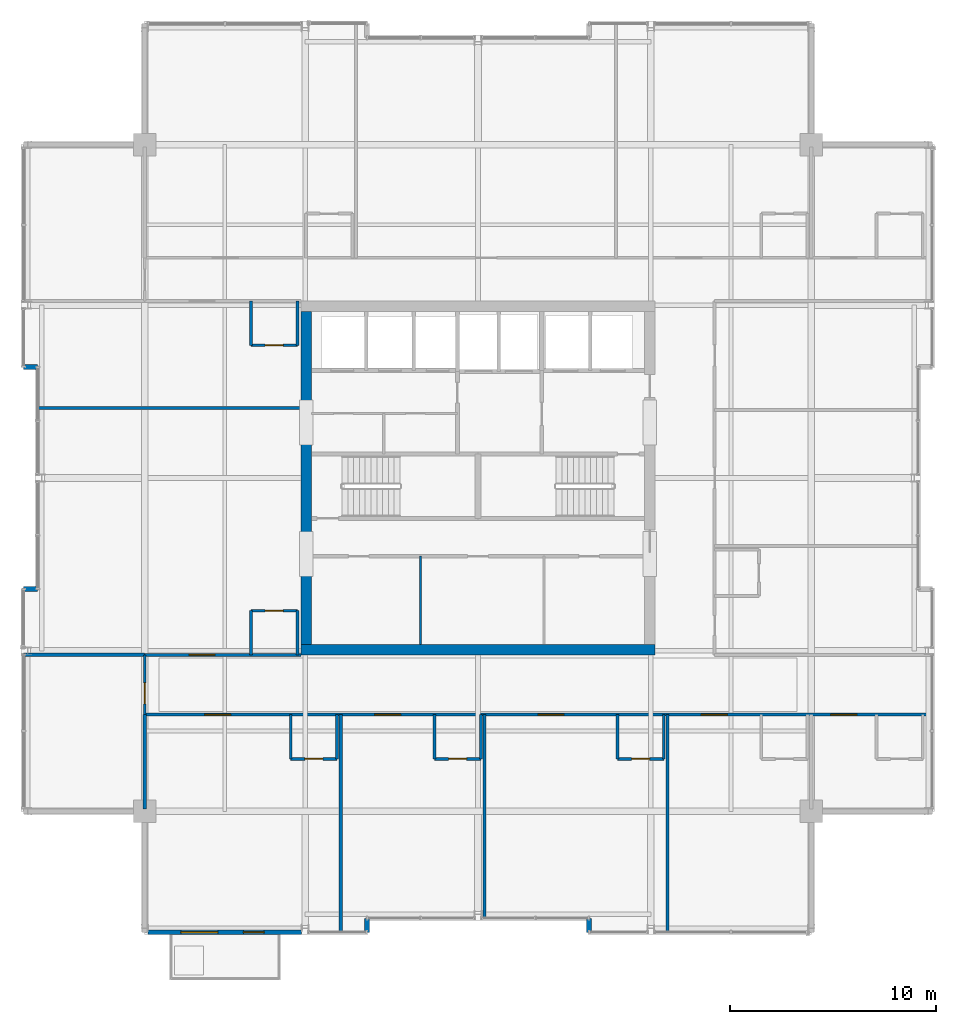
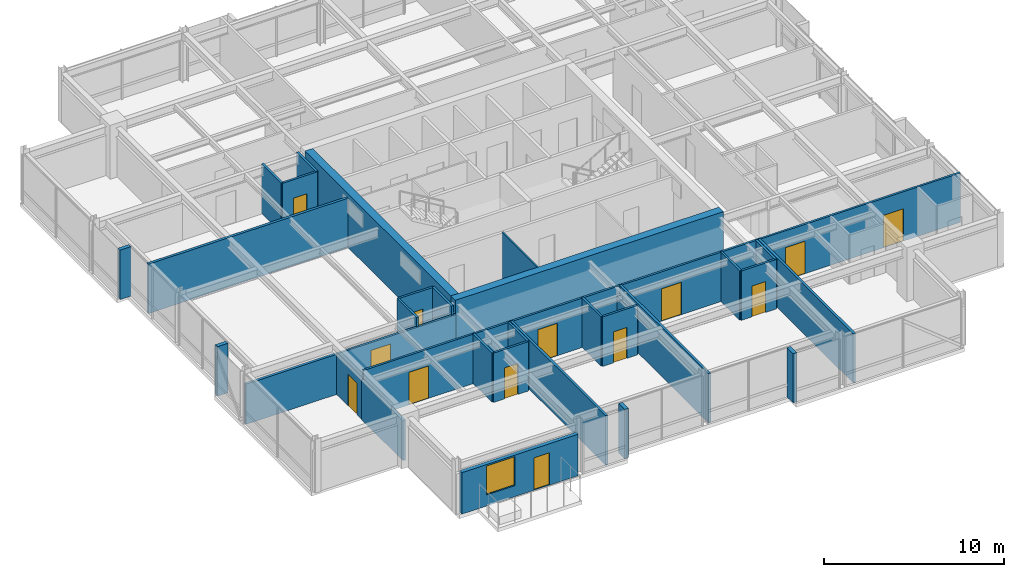
# One storey, part 28 of 34: 32 walls, 13 doors, 1 window, 14 openings.
"""IFC4 building model written with IfcOpenShell, lengths in metres."""

from ifc_helpers import new_model, si_unit, direction, frame, frame_2d, origin, place, context, subcontext, project, spatial, rectangle, extrude, material, layer, layer_set, type_object, element, fill, save


model = new_model("IFC4")

# Units and contexts
model_context = context("Model", 3, precision=1e-05, world=origin(), true_north=direction((0.0, 1.0)))
body_context = subcontext(model_context, "Body", "Model", "MODEL_VIEW")
ifc_project = project(units=[si_unit("LENGTHUNIT", "METRE"), si_unit("AREAUNIT", "SQUARE_METRE"), si_unit("VOLUMEUNIT", "CUBIC_METRE"), si_unit("PLANEANGLEUNIT", "RADIAN"), si_unit("MASSUNIT", "GRAM", prefix="KILO")], contexts=[model_context])

# Site, building, storey
site_placement = place(None, origin())
site = spatial("IfcSite", under=ifc_project, at=site_placement, CompositionType="ELEMENT")
building_placement = place(site_placement, origin())
building = spatial("IfcBuilding", under=site, at=building_placement, Name="Drelvath Grand Hotel", CompositionType="ELEMENT")
storey_placement = place(building_placement, frame((0.0, 0.0, 290.550048828125)))
storey = spatial("IfcBuildingStorey", under=building, at=storey_placement, Name="L76", CompositionType="ELEMENT", Elevation=290.550048828125)

# Wall
ifc_material_1 = material(Name="Gypsum Partition Board")
ifc_layer_1 = layer(ifc_material_1, 0.10009765625)
ifc_layer_set_1 = layer_set([ifc_layer_1], Name="Gypsum Partition Board")
wall_type_1 = type_object("IfcWallType", Name="Core Closet Partition 100", PredefinedType="PARTITIONING", material=ifc_layer_set_1)
wall_1_placement = place(storey_placement, frame((-2.800048828125, 18.89990234375, 0.0), z_axis=(0.0, 0.0, 1.0), x_axis=(0.0, 1.0, 0.0)))
element("IfcWall", 1, at=wall_1_placement, inside=storey, type_object=wall_type_1, Name="L76 Upper Core Split 1A", PredefinedType="PARTITIONING", context=body_context, shape_type="SweptSolid", body=[
    extrude(rectangle(XDim=4.300048828125, YDim=0.10009765625, at=frame_2d((2.14990234375, 0.0))), origin(), (0.0, 0.0, 1.0), 3.349853515625),
])

# Wall, openings, doors
ifc_material_2 = material(Name="Gypsum Fireboard Partition")
ifc_layer_2 = layer(ifc_material_2, 0.135009765625)
ifc_layer_set_2 = layer_set([ifc_layer_2], Name="Gypsum Fireboard Partition")
wall_type_2 = type_object("IfcWallType", Name="Corridor Fire Barrier Wall 135", PredefinedType="PARTITIONING", material=ifc_layer_set_2)
wall_2_placement = place(storey_placement, frame((-16.199951171875, 15.5, 0.0), z_axis=(0.0, 0.0, 1.0), x_axis=(1.0, 0.0, 0.0)))
wall_2 = element("IfcWall", 2, at=wall_2_placement, inside=storey, type_object=wall_type_2, Name="L76 South Cross-Gallery Wall", PredefinedType="PARTITIONING", context=body_context, shape_type="SweptSolid", body=[
    extrude(rectangle(XDim=38.280029296875, YDim=0.135009765625, at=frame_2d((19.14013671875, 0.0))), origin(), (0.0, 0.0, 1.0), 3.349853515625),
])
opening_1_placement = place(wall_2_placement, frame((33.35498046875, 0.0, 0.0)))
opening_1 = element("IfcOpeningElement", 3, at=opening_1_placement, cuts=wall_2, Name="Opening D-T5G3-022", PredefinedType="OPENING", context=body_context, shape_type="SweptSolid", body=[
    extrude(rectangle(XDim=1.260009765625, YDim=2.199951171875, at=frame_2d((0.6298828125, 1.10009765625))), frame((0.0, 0.077392578125, 0.0), z_axis=(0.0, -1.0, 0.0), x_axis=(1.0, 0.0, 0.0)), (0.0, 0.0, 1.0), 0.155029296875),
])
opening_2_placement = place(wall_2_placement, frame((2.919677734375, 0.0, 0.0)))
opening_2 = element("IfcOpeningElement", 4, at=opening_2_placement, cuts=wall_2, Name="Opening D-T5G3-026", PredefinedType="OPENING", context=body_context, shape_type="SweptSolid", body=[
    extrude(rectangle(XDim=1.260009765625, YDim=2.199951171875, at=frame_2d((0.6298828125, 1.10009765625))), frame((0.0, 0.077392578125, 0.0), z_axis=(0.0, -1.0, 0.0), x_axis=(1.0, 0.0, 0.0)), (0.0, 0.0, 1.0), 0.155029296875),
])
opening_3_placement = place(wall_2_placement, frame((11.178466796875, 0.0, 0.0)))
opening_3 = element("IfcOpeningElement", 5, at=opening_3_placement, cuts=wall_2, Name="Opening D-T5G3-028", PredefinedType="OPENING", context=body_context, shape_type="SweptSolid", body=[
    extrude(rectangle(XDim=1.260009765625, YDim=2.199951171875, at=frame_2d((0.6298828125, 1.10009765625))), frame((0.0, 0.077392578125, 0.0), z_axis=(0.0, -1.0, 0.0), x_axis=(1.0, 0.0, 0.0)), (0.0, 0.0, 1.0), 0.155029296875),
])
opening_4_placement = place(wall_2_placement, frame((19.11962890625, 0.0, 0.0)))
opening_4 = element("IfcOpeningElement", 6, at=opening_4_placement, cuts=wall_2, Name="Opening D-T5G3-030", PredefinedType="OPENING", context=body_context, shape_type="SweptSolid", body=[
    extrude(rectangle(XDim=1.260009765625, YDim=2.199951171875, at=frame_2d((0.6298828125, 1.10009765625))), frame((0.0, 0.077392578125, 0.0), z_axis=(0.0, -1.0, 0.0), x_axis=(1.0, 0.0, 0.0)), (0.0, 0.0, 1.0), 0.155029296875),
])
opening_5_placement = place(wall_2_placement, frame((27.060791015625, 0.0, 0.0)))
opening_5 = element("IfcOpeningElement", 7, at=opening_5_placement, cuts=wall_2, Name="Opening D-T5G3-032", PredefinedType="OPENING", context=body_context, shape_type="SweptSolid", body=[
    extrude(rectangle(XDim=1.260009765625, YDim=2.199951171875, at=frame_2d((0.6298828125, 1.10009765625))), frame((0.0, 0.077392578125, 0.0), z_axis=(0.0, -1.0, 0.0), x_axis=(1.0, 0.0, 0.0)), (0.0, 0.0, 1.0), 0.155029296875),
])
ifc_material_3 = material(Name="Hardwood Walnut Timber", Category="wood")
door_type_1 = type_object("IfcDoorType", Name="Suite Entrance Fire Door 1260x2200", OperationType="NOTDEFINED", PredefinedType="DOOR", material=ifc_material_3)
door_1_placement = place(opening_1_placement, origin())
door_1 = element("IfcDoor", 8, at=door_1_placement, inside=storey, type_object=door_type_1, Name="L76 Royal Suite Entry Door", OperationType="SINGLE_SWING_LEFT", OverallHeight=2.199951171875, OverallWidth=1.260009765625, PredefinedType="DOOR", context=body_context, shape_type="SweptSolid", body=[
    extrude(rectangle(XDim=1.260009765625, YDim=2.199951171875, at=frame_2d((0.6298828125, 1.10009765625))), frame((0.0, 0.02490234375, 0.0), z_axis=(0.0, -1.0, 0.0), x_axis=(1.0, 0.0, 0.0)), (0.0, 0.0, 1.0), 0.050048828125),
])
fill(opening_1, door_1)
door_2_placement = place(opening_2_placement, origin())
door_2 = element("IfcDoor", 9, at=door_2_placement, inside=storey, type_object=door_type_1, Name="L76 Royal Suite Entry Door", OperationType="SINGLE_SWING_LEFT", OverallHeight=2.199951171875, OverallWidth=1.260009765625, PredefinedType="DOOR", context=body_context, shape_type="SweptSolid", body=[
    extrude(rectangle(XDim=1.260009765625, YDim=2.199951171875, at=frame_2d((0.6298828125, 1.10009765625))), frame((0.0, 0.02490234375, 0.0), z_axis=(0.0, -1.0, 0.0), x_axis=(1.0, 0.0, 0.0)), (0.0, 0.0, 1.0), 0.050048828125),
])
fill(opening_2, door_2)
door_3_placement = place(opening_3_placement, origin())
door_3 = element("IfcDoor", 10, at=door_3_placement, inside=storey, type_object=door_type_1, Name="L76 Royal Suite Entry Door", OperationType="SINGLE_SWING_LEFT", OverallHeight=2.199951171875, OverallWidth=1.260009765625, PredefinedType="DOOR", context=body_context, shape_type="SweptSolid", body=[
    extrude(rectangle(XDim=1.260009765625, YDim=2.199951171875, at=frame_2d((0.6298828125, 1.10009765625))), frame((0.0, 0.02490234375, 0.0), z_axis=(0.0, -1.0, 0.0), x_axis=(1.0, 0.0, 0.0)), (0.0, 0.0, 1.0), 0.050048828125),
])
fill(opening_3, door_3)
door_4_placement = place(opening_4_placement, origin())
door_4 = element("IfcDoor", 11, at=door_4_placement, inside=storey, type_object=door_type_1, Name="L76 Royal Suite Entry Door", OperationType="SINGLE_SWING_LEFT", OverallHeight=2.199951171875, OverallWidth=1.260009765625, PredefinedType="DOOR", context=body_context, shape_type="SweptSolid", body=[
    extrude(rectangle(XDim=1.260009765625, YDim=2.199951171875, at=frame_2d((0.6298828125, 1.10009765625))), frame((0.0, 0.02490234375, 0.0), z_axis=(0.0, -1.0, 0.0), x_axis=(1.0, 0.0, 0.0)), (0.0, 0.0, 1.0), 0.050048828125),
])
fill(opening_4, door_4)
door_5_placement = place(opening_5_placement, origin())
door_5 = element("IfcDoor", 12, at=door_5_placement, inside=storey, type_object=door_type_1, Name="L76 Royal Suite Entry Door", OperationType="SINGLE_SWING_LEFT", OverallHeight=2.199951171875, OverallWidth=1.260009765625, PredefinedType="DOOR", context=body_context, shape_type="SweptSolid", body=[
    extrude(rectangle(XDim=1.260009765625, YDim=2.199951171875, at=frame_2d((0.6298828125, 1.10009765625))), frame((0.0, 0.02490234375, 0.0), z_axis=(0.0, -1.0, 0.0), x_axis=(1.0, 0.0, 0.0)), (0.0, 0.0, 1.0), 0.050048828125),
])
fill(opening_5, door_5)

# Wall, opening, door
wall_3_placement = place(storey_placement, frame((-16.199951171875, 18.39990234375, 0.0), z_axis=(0.0, 0.0, 1.0), x_axis=(1.0, 0.0, 0.0)))
wall_3 = element("IfcWall", 13, at=wall_3_placement, inside=storey, type_object=wall_type_2, Name="L76 South Gallery Inner West Wall", PredefinedType="PARTITIONING", context=body_context, shape_type="SweptSolid", body=[
    extrude(rectangle(XDim=7.599853515625, YDim=0.135009765625, at=frame_2d((3.7998046875, 0.0))), origin(), (0.0, 0.0, 1.0), 2.727294921875),
])
opening_6_placement = place(wall_3_placement, frame((2.155029296875, 0.0, 0.0)))
opening_6 = element("IfcOpeningElement", 14, at=opening_6_placement, cuts=wall_3, Name="Opening D-T5G3-043", PredefinedType="OPENING", context=body_context, shape_type="SweptSolid", body=[
    extrude(rectangle(XDim=1.260009765625, YDim=2.199951171875, at=frame_2d((0.6298828125, 1.10009765625))), frame((0.0, 0.077392578125, 0.0), z_axis=(0.0, -1.0, 0.0), x_axis=(1.0, 0.0, 0.0)), (0.0, 0.0, 1.0), 0.155029296875),
])
door_6_placement = place(opening_6_placement, origin())
door_6 = element("IfcDoor", 15, at=door_6_placement, inside=storey, type_object=door_type_1, Name="L76 Royal Suite Entry Door", OperationType="SINGLE_SWING_RIGHT", OverallHeight=2.199951171875, OverallWidth=1.260009765625, PredefinedType="DOOR", context=body_context, shape_type="SweptSolid", body=[
    extrude(rectangle(XDim=1.260009765625, YDim=2.199951171875, at=frame_2d((0.6298828125, 1.10009765625))), frame((0.0, 0.02490234375, 0.0), z_axis=(0.0, -1.0, 0.0), x_axis=(1.0, 0.0, 0.0)), (0.0, 0.0, 1.0), 0.050048828125),
])
fill(opening_6, door_6)

wall_4_placement = place(storey_placement, frame((-16.199951171875, 15.5, 0.0), z_axis=(0.0, 0.0, 1.0), x_axis=(0.0, 1.0, 0.0)))
wall_4 = element("IfcWall", 16, at=wall_4_placement, inside=storey, type_object=wall_type_2, Name="L76 South Gallery West End", PredefinedType="PARTITIONING", context=body_context, shape_type="SweptSolid", body=[
    extrude(rectangle(XDim=2.89990234375, YDim=0.135009765625, at=frame_2d((1.449951171875, 0.0))), origin(), (0.0, 0.0, 1.0), 2.723876953125),
])
opening_7_placement = place(wall_4_placement, frame((0.52001953125, 0.0, 0.0)))
opening_7 = element("IfcOpeningElement", 17, at=opening_7_placement, cuts=wall_4, Name="Opening D-T5G3-019", PredefinedType="OPENING", context=body_context, shape_type="SweptSolid", body=[
    extrude(rectangle(XDim=1.02001953125, YDim=2.14990234375, at=frame_2d((0.510009765625, 1.074951171875))), frame((0.0, 0.077392578125, 0.0), z_axis=(0.0, -1.0, 0.0), x_axis=(1.0, 0.0, 0.0)), (0.0, 0.0, 1.0), 0.155029296875),
])
door_type_2 = type_object("IfcDoorType", Name="Amenity Meeting Fire Door 1020x2150", OperationType="NOTDEFINED", PredefinedType="DOOR", material=ifc_material_3)
door_7_placement = place(opening_7_placement, origin())
door_7 = element("IfcDoor", 18, at=door_7_placement, inside=storey, type_object=door_type_2, Name="L76 Corner Panorama Lounge Door", OperationType="SINGLE_SWING_RIGHT", OverallHeight=2.14990234375, OverallWidth=1.02001953125, PredefinedType="DOOR", context=body_context, shape_type="SweptSolid", body=[
    extrude(rectangle(XDim=1.02001953125, YDim=2.14990234375, at=frame_2d((0.510009765625, 1.074951171875))), frame((0.0, 0.02490234375, 0.0), z_axis=(0.0, -1.0, 0.0), x_axis=(1.0, 0.0, 0.0)), (0.0, 0.0, 1.0), 0.050048828125),
])
fill(opening_7, door_7)

# Walls
ifc_material_4 = material(Name="Moisture-Resistant Gypsum Board")
ifc_layer_3 = layer(ifc_material_4, 0.139892578125)
ifc_layer_set_3 = layer_set([ifc_layer_3], Name="Moisture-Resistant Gypsum Board")
wall_type_3 = type_object("IfcWallType", Name="En-Suite Plumbing Wall 140", PredefinedType="PLUMBINGWALL", material=ifc_layer_set_3)
for number, where, z_axis, x_axis, name in (
    (19, (-9.1005859375, 15.5, 0.0), (0.0, 0.0, 1.0), (0.0, -1.0, 0.0), "L76 En-Suite Left Wall"),
    (20, (-6.8505859375, 15.5, 0.0), (0.0, 0.0, 1.0), (0.0, -1.0, 0.0), "L76 En-Suite Right Wall"),
):
    element("IfcWall", number, at=place(storey_placement, frame(where, z_axis=z_axis, x_axis=x_axis)), inside=storey, type_object=wall_type_3, Name=name, PredefinedType="PLUMBINGWALL", context=body_context, shape_type="SweptSolid", body=[
        extrude(rectangle(XDim=2.14990234375, YDim=0.139892578125, at=frame_2d((1.074951171875, 0.0))), origin(), (0.0, 0.0, 1.0), 3.349853515625),
    ])

# Wall, opening, door
wall_5_placement = place(storey_placement, frame((-9.1005859375, 13.35009765625, 0.0), z_axis=(0.0, 0.0, 1.0), x_axis=(1.0, 0.0, 0.0)))
wall_5 = element("IfcWall", 21, at=wall_5_placement, inside=storey, type_object=wall_type_3, Name="L76 En-Suite Front Wall", PredefinedType="PLUMBINGWALL", context=body_context, shape_type="SweptSolid", body=[
    extrude(rectangle(XDim=2.25, YDim=0.139892578125, at=frame_2d((1.125, 0.0))), origin(), (0.0, 0.0, 1.0), 3.349853515625),
])
opening_8_placement = place(wall_5_placement, frame((0.68505859375, 0.0, 0.0)))
opening_8 = element("IfcOpeningElement", 22, at=opening_8_placement, cuts=wall_5, Name="Opening D-T5G3-025", PredefinedType="OPENING", context=body_context, shape_type="SweptSolid", body=[
    extrude(rectangle(XDim=0.8798828125, YDim=2.10009765625, at=frame_2d((0.43994140625, 1.050048828125))), frame((0.0, 0.079833984375, 0.0), z_axis=(0.0, -1.0, 0.0), x_axis=(1.0, 0.0, 0.0)), (0.0, 0.0, 1.0), 0.159912109375),
])
door_type_3 = type_object("IfcDoorType", Name="En-Suite Bathroom Door 880x2100", OperationType="NOTDEFINED", PredefinedType="DOOR", material=ifc_material_3)
door_8_placement = place(opening_8_placement, origin())
door_8 = element("IfcDoor", 23, at=door_8_placement, inside=storey, type_object=door_type_3, Name="L76 En-Suite Bathroom Door", OperationType="SINGLE_SWING_RIGHT", OverallHeight=2.10009765625, OverallWidth=0.8798828125, PredefinedType="DOOR", context=body_context, shape_type="SweptSolid", body=[
    extrude(rectangle(XDim=0.8798828125, YDim=2.10009765625, at=frame_2d((0.43994140625, 1.050048828125))), frame((0.0, 0.02490234375, 0.0), z_axis=(0.0, -1.0, 0.0), x_axis=(1.0, 0.0, 0.0)), (0.0, 0.0, 1.0), 0.050048828125),
])
fill(opening_8, door_8)

# Walls
wall_6_placement = place(storey_placement, frame((-2.1123046875, 15.5, 0.0), z_axis=(0.0, 0.0, 1.0), x_axis=(0.0, -1.0, 0.0)))
element("IfcWall", 24, at=wall_6_placement, inside=storey, type_object=wall_type_3, Name="L76 En-Suite Left Wall", PredefinedType="PLUMBINGWALL", context=body_context, shape_type="SweptSolid", body=[
    extrude(rectangle(XDim=2.14990234375, YDim=0.139892578125, at=frame_2d((1.074951171875, 0.0))), origin(), (0.0, 0.0, 1.0), 3.349853515625),
])
wall_7_placement = place(storey_placement, frame((0.1376953125, 15.5, 0.0), z_axis=(0.0, 0.0, 1.0), x_axis=(0.0, -1.0, 0.0)))
element("IfcWall", 25, at=wall_7_placement, inside=storey, type_object=wall_type_3, Name="L76 En-Suite Right Wall", PredefinedType="PLUMBINGWALL", context=body_context, shape_type="SweptSolid", body=[
    extrude(rectangle(XDim=2.14990234375, YDim=0.139892578125, at=frame_2d((1.074951171875, 0.0))), origin(), (0.0, 0.0, 1.0), 2.727294921875),
])

# Wall, opening, door
wall_8_placement = place(storey_placement, frame((-2.1123046875, 13.35009765625, 0.0), z_axis=(0.0, 0.0, 1.0), x_axis=(1.0, 0.0, 0.0)))
wall_8 = element("IfcWall", 26, at=wall_8_placement, inside=storey, type_object=wall_type_3, Name="L76 En-Suite Front Wall", PredefinedType="PLUMBINGWALL", context=body_context, shape_type="SweptSolid", body=[
    extrude(rectangle(XDim=2.25, YDim=0.139892578125, at=frame_2d((1.125, 0.0))), origin(), (0.0, 0.0, 1.0), 3.349853515625),
])
opening_9_placement = place(wall_8_placement, frame((0.68505859375, 0.0, 0.0)))
opening_9 = element("IfcOpeningElement", 27, at=opening_9_placement, cuts=wall_8, Name="Opening D-T5G3-027", PredefinedType="OPENING", context=body_context, shape_type="SweptSolid", body=[
    extrude(rectangle(XDim=0.8798828125, YDim=2.10009765625, at=frame_2d((0.43994140625, 1.050048828125))), frame((0.0, 0.079833984375, 0.0), z_axis=(0.0, -1.0, 0.0), x_axis=(1.0, 0.0, 0.0)), (0.0, 0.0, 1.0), 0.159912109375),
])
door_9_placement = place(opening_9_placement, origin())
door_9 = element("IfcDoor", 28, at=door_9_placement, inside=storey, type_object=door_type_3, Name="L76 En-Suite Bathroom Door", OperationType="SINGLE_SWING_RIGHT", OverallHeight=2.10009765625, OverallWidth=0.8798828125, PredefinedType="DOOR", context=body_context, shape_type="SweptSolid", body=[
    extrude(rectangle(XDim=0.8798828125, YDim=2.10009765625, at=frame_2d((0.43994140625, 1.050048828125))), frame((0.0, 0.02490234375, 0.0), z_axis=(0.0, -1.0, 0.0), x_axis=(1.0, 0.0, 0.0)), (0.0, 0.0, 1.0), 0.050048828125),
])
fill(opening_9, door_9)

# Walls
for number, where, z_axis, x_axis, name in (
    (29, (6.78173828125, 15.5, 0.0), (0.0, 0.0, 1.0), (0.0, -1.0, 0.0), "L76 En-Suite Left Wall"),
    (30, (9.03173828125, 15.5, 0.0), (0.0, 0.0, 1.0), (0.0, -1.0, 0.0), "L76 En-Suite Right Wall"),
):
    element("IfcWall", number, at=place(storey_placement, frame(where, z_axis=z_axis, x_axis=x_axis)), inside=storey, type_object=wall_type_3, Name=name, PredefinedType="PLUMBINGWALL", context=body_context, shape_type="SweptSolid", body=[
        extrude(rectangle(XDim=2.14990234375, YDim=0.139892578125, at=frame_2d((1.074951171875, 0.0))), origin(), (0.0, 0.0, 1.0), 3.349853515625),
    ])

# Wall, opening, door
wall_9_placement = place(storey_placement, frame((6.78173828125, 13.35009765625, 0.0), z_axis=(0.0, 0.0, 1.0), x_axis=(1.0, 0.0, 0.0)))
wall_9 = element("IfcWall", 31, at=wall_9_placement, inside=storey, type_object=wall_type_3, Name="L76 En-Suite Front Wall", PredefinedType="PLUMBINGWALL", context=body_context, shape_type="SweptSolid", body=[
    extrude(rectangle(XDim=2.25, YDim=0.139892578125, at=frame_2d((1.125, 0.0))), origin(), (0.0, 0.0, 1.0), 3.349853515625),
])
opening_10_placement = place(wall_9_placement, frame((0.68505859375, 0.0, 0.0)))
opening_10 = element("IfcOpeningElement", 32, at=opening_10_placement, cuts=wall_9, Name="Opening D-T5G3-029", PredefinedType="OPENING", context=body_context, shape_type="SweptSolid", body=[
    extrude(rectangle(XDim=0.8798828125, YDim=2.10009765625, at=frame_2d((0.43994140625, 1.050048828125))), frame((0.0, 0.079833984375, 0.0), z_axis=(0.0, -1.0, 0.0), x_axis=(1.0, 0.0, 0.0)), (0.0, 0.0, 1.0), 0.159912109375),
])
door_10_placement = place(opening_10_placement, origin())
door_10 = element("IfcDoor", 33, at=door_10_placement, inside=storey, type_object=door_type_3, Name="L76 En-Suite Bathroom Door", OperationType="SINGLE_SWING_RIGHT", OverallHeight=2.10009765625, OverallWidth=0.8798828125, PredefinedType="DOOR", context=body_context, shape_type="SweptSolid", body=[
    extrude(rectangle(XDim=0.8798828125, YDim=2.10009765625, at=frame_2d((0.43994140625, 1.050048828125))), frame((0.0, 0.02490234375, 0.0), z_axis=(0.0, -1.0, 0.0), x_axis=(1.0, 0.0, 0.0)), (0.0, 0.0, 1.0), 0.050048828125),
])
fill(opening_10, door_10)

# Walls
for number, where, z_axis, x_axis, name in (
    (34, (-11.030029296875, 18.39990234375, 0.0), (0.0, 0.0, 1.0), (0.0, 1.0, 0.0), "L76 En-Suite Left Wall"),
    (35, (-8.780029296875, 18.39990234375, 0.0), (0.0, 0.0, 1.0), (0.0, 1.0, 0.0), "L76 En-Suite Right Wall"),
):
    element("IfcWall", number, at=place(storey_placement, frame(where, z_axis=z_axis, x_axis=x_axis)), inside=storey, type_object=wall_type_3, Name=name, PredefinedType="PLUMBINGWALL", context=body_context, shape_type="SweptSolid", body=[
        extrude(rectangle(XDim=2.150146484375, YDim=0.139892578125, at=frame_2d((1.0751953125, 0.0))), origin(), (0.0, 0.0, 1.0), 3.349853515625),
    ])

# Wall, opening, door
wall_10_placement = place(storey_placement, frame((-11.030029296875, 20.550048828125, 0.0), z_axis=(0.0, 0.0, 1.0), x_axis=(1.0, 0.0, 0.0)))
wall_10 = element("IfcWall", 36, at=wall_10_placement, inside=storey, type_object=wall_type_3, Name="L76 En-Suite Front Wall", PredefinedType="PLUMBINGWALL", context=body_context, shape_type="SweptSolid", body=[
    extrude(rectangle(XDim=2.25, YDim=0.139892578125, at=frame_2d((1.125, 0.0))), origin(), (0.0, 0.0, 1.0), 3.349853515625),
])
opening_11_placement = place(wall_10_placement, frame((0.68505859375, 0.0, 0.0)))
opening_11 = element("IfcOpeningElement", 37, at=opening_11_placement, cuts=wall_10, Name="Opening D-T5G3-042", PredefinedType="OPENING", context=body_context, shape_type="SweptSolid", body=[
    extrude(rectangle(XDim=0.8798828125, YDim=2.10009765625, at=frame_2d((0.43994140625, 1.050048828125))), frame((0.0, 0.079833984375, 0.0), z_axis=(0.0, -1.0, 0.0), x_axis=(1.0, 0.0, 0.0)), (0.0, 0.0, 1.0), 0.159912109375),
])
door_11_placement = place(opening_11_placement, origin())
door_11 = element("IfcDoor", 38, at=door_11_placement, inside=storey, type_object=door_type_3, Name="L76 En-Suite Bathroom Door", OperationType="SINGLE_SWING_LEFT", OverallHeight=2.10009765625, OverallWidth=0.8798828125, PredefinedType="DOOR", context=body_context, shape_type="SweptSolid", body=[
    extrude(rectangle(XDim=0.8798828125, YDim=2.10009765625, at=frame_2d((0.43994140625, 1.050048828125))), frame((0.0, 0.02490234375, 0.0), z_axis=(0.0, -1.0, 0.0), x_axis=(1.0, 0.0, 0.0)), (0.0, 0.0, 1.0), 0.050048828125),
])
fill(opening_11, door_11)

# Walls
for number, where, z_axis, x_axis, name in (
    (39, (-11.030029296875, 35.60009765625, 0.0), (0.0, 0.0, 1.0), (0.0, -1.0, 0.0), "L76 En-Suite Left Wall"),
    (40, (-8.780029296875, 35.60009765625, 0.0), (0.0, 0.0, 1.0), (0.0, -1.0, 0.0), "L76 En-Suite Right Wall"),
):
    element("IfcWall", number, at=place(storey_placement, frame(where, z_axis=z_axis, x_axis=x_axis)), inside=storey, type_object=wall_type_3, Name=name, PredefinedType="PLUMBINGWALL", context=body_context, shape_type="SweptSolid", body=[
        extrude(rectangle(XDim=2.150146484375, YDim=0.139892578125, at=frame_2d((1.0751953125, 0.0))), origin(), (0.0, 0.0, 1.0), 3.349853515625),
    ])

# Wall, opening, door
wall_11_placement = place(storey_placement, frame((-11.030029296875, 33.449951171875, 0.0), z_axis=(0.0, 0.0, 1.0), x_axis=(1.0, 0.0, 0.0)))
wall_11 = element("IfcWall", 41, at=wall_11_placement, inside=storey, type_object=wall_type_3, Name="L76 En-Suite Front Wall", PredefinedType="PLUMBINGWALL", context=body_context, shape_type="SweptSolid", body=[
    extrude(rectangle(XDim=2.25, YDim=0.139892578125, at=frame_2d((1.125, 0.0))), origin(), (0.0, 0.0, 1.0), 3.349853515625),
])
opening_12_placement = place(wall_11_placement, frame((0.68505859375, 0.0, 0.0)))
opening_12 = element("IfcOpeningElement", 42, at=opening_12_placement, cuts=wall_11, Name="Opening D-T5G3-044", PredefinedType="OPENING", context=body_context, shape_type="SweptSolid", body=[
    extrude(rectangle(XDim=0.8798828125, YDim=2.10009765625, at=frame_2d((0.43994140625, 1.050048828125))), frame((0.0, 0.079833984375, 0.0), z_axis=(0.0, -1.0, 0.0), x_axis=(1.0, 0.0, 0.0)), (0.0, 0.0, 1.0), 0.159912109375),
])
door_12_placement = place(opening_12_placement, origin())
door_12 = element("IfcDoor", 43, at=door_12_placement, inside=storey, type_object=door_type_3, Name="L76 En-Suite Bathroom Door", OperationType="SINGLE_SWING_LEFT", OverallHeight=2.10009765625, OverallWidth=0.8798828125, PredefinedType="DOOR", context=body_context, shape_type="SweptSolid", body=[
    extrude(rectangle(XDim=0.8798828125, YDim=2.10009765625, at=frame_2d((0.43994140625, 1.050048828125))), frame((0.0, 0.02490234375, 0.0), z_axis=(0.0, -1.0, 0.0), x_axis=(1.0, 0.0, 0.0)), (0.0, 0.0, 1.0), 0.050048828125),
])
fill(opening_12, door_12)

# Walls
ifc_material_5 = material(Name="Gypsum Acoustic Partition")
ifc_layer_4 = layer(ifc_material_5, 0.14990234375)
ifc_layer_set_4 = layer_set([ifc_layer_4], Name="Gypsum Acoustic Partition")
wall_type_4 = type_object("IfcWallType", Name="Guestroom Demising Wall 150", PredefinedType="PARTITIONING", material=ifc_layer_set_4)
wall_12_placement = place(storey_placement, frame((-6.670654296875, 4.919921875, 0.0), z_axis=(0.0, 0.0, 1.0), x_axis=(0.0, 1.0, 0.0)))
element("IfcWall", 44, at=wall_12_placement, inside=storey, type_object=wall_type_4, Name="L76 South Demising 1", PredefinedType="PARTITIONING", context=body_context, shape_type="SweptSolid", body=[
    extrude(rectangle(XDim=10.580078125, YDim=0.14990234375, at=frame_2d((5.2900390625, 0.0))), origin(), (0.0, 0.0, 1.0), 3.349853515625),
])
wall_13_placement = place(storey_placement, frame((0.317626953125, 5.60009765625, 0.0), z_axis=(0.0, 0.0, 1.0), x_axis=(0.0, 1.0, 0.0)))
element("IfcWall", 45, at=wall_13_placement, inside=storey, type_object=wall_type_4, Name="L76 South Demising 2", PredefinedType="PARTITIONING", context=body_context, shape_type="SweptSolid", body=[
    extrude(rectangle(XDim=9.89990234375, YDim=0.14990234375, at=frame_2d((4.949951171875, 0.0))), origin(), (0.0, 0.0, 1.0), 3.349853515625),
])
wall_14_placement = place(storey_placement, frame((9.2119140625, 4.919921875, 0.0), z_axis=(0.0, 0.0, 1.0), x_axis=(0.0, 1.0, 0.0)))
element("IfcWall", 46, at=wall_14_placement, inside=storey, type_object=wall_type_4, Name="L76 South Demising 3", PredefinedType="PARTITIONING", context=body_context, shape_type="SweptSolid", body=[
    extrude(rectangle(XDim=10.580078125, YDim=0.14990234375, at=frame_2d((5.2900390625, 0.0))), origin(), (0.0, 0.0, 1.0), 3.349853515625),
])
ifc_layer_5 = layer(ifc_material_5, 0.1650390625)
ifc_layer_set_5 = layer_set([ifc_layer_5], Name="Gypsum Acoustic Partition")
wall_type_5 = type_object("IfcWallType", Name="Suite Demising Wall 165", PredefinedType="PARTITIONING", material=ifc_layer_set_5)
wall_15_placement = place(storey_placement, frame((-16.199951171875, 10.919921875, 0.0), z_axis=(0.0, 0.0, 1.0), x_axis=(0.0, 1.0, 0.0)))
element("IfcWall", 47, at=wall_15_placement, inside=storey, type_object=wall_type_5, Name="L76 SW Suite Wall", PredefinedType="PARTITIONING", context=body_context, shape_type="SweptSolid", body=[
    extrude(rectangle(XDim=4.580078125, YDim=0.1650390625, at=frame_2d((2.2900390625, 0.0))), origin(), (0.0, 0.0, 1.0), 2.723876953125),
])
wall_16_placement = place(storey_placement, frame((-22.080078125, 18.39990234375, 0.0), z_axis=(0.0, 0.0, 1.0), x_axis=(1.0, 0.0, 0.0)))
element("IfcWall", 48, at=wall_16_placement, inside=storey, type_object=wall_type_5, Name="L76 SW Corner North Wall", PredefinedType="PARTITIONING", context=body_context, shape_type="SweptSolid", body=[
    extrude(rectangle(XDim=5.880126953125, YDim=0.1650390625, at=frame_2d((2.93994140625, 0.0))), origin(), (0.0, 0.0, 1.0), 2.723876953125),
])
wall_17_placement = place(storey_placement, frame((-21.39990234375, 30.39990234375, 0.0), z_axis=(0.0, 0.0, 1.0), x_axis=(1.0, 0.0, 0.0)))
element("IfcWall", 49, at=wall_17_placement, inside=storey, type_object=wall_type_5, Name="L76 West Grand Suite Split Wall", PredefinedType="PARTITIONING", context=body_context, shape_type="SweptSolid", body=[
    extrude(rectangle(XDim=12.7998046875, YDim=0.1650390625, at=frame_2d((6.39990234375, 0.0))), origin(), (0.0, 0.0, 1.0), 3.349853515625),
])

# Wall, openings, window, door
ifc_material_6 = material(Name="Pale-Metal Insulated Aluminium Spandrel Assembly", Category="aluminium")
ifc_layer_6 = layer(ifc_material_6, 0.239990234375)
ifc_layer_set_6 = layer_set([ifc_layer_6], Name="Pale-Metal Insulated Aluminium Spandrel Assembly")
wall_type_6 = type_object("IfcWallType", Name="Tower Insulated Metal Spandrel Closure Wall 240", PredefinedType="STANDARD", material=ifc_layer_set_6)
wall_18_placement = place(storey_placement, frame((-8.570068359375, 4.919921875, 0.0), z_axis=(0.0, 0.0, 1.0), x_axis=(-1.0, 0.0, 0.0)))
wall_18 = element("IfcWall", 50, at=wall_18_placement, inside=storey, type_object=wall_type_6, Name="L76 Exterior Terrace Door Bay Wall SW1", PredefinedType="STANDARD", context=body_context, shape_type="SweptSolid", body=[
    extrude(rectangle(XDim=7.459716796875, YDim=0.239990234375, at=frame_2d((3.72998046875, 0.0))), origin(), (0.0, 0.0, 1.0), 2.813232421875),
])
opening_13_placement = place(wall_18_placement, frame((1.829833984375, 0.0, 0.0)))
opening_13 = element("IfcOpeningElement", 51, at=opening_13_placement, cuts=wall_18, Name="Opening TD-1000", PredefinedType="OPENING", context=body_context, shape_type="SweptSolid", body=[
    extrude(rectangle(XDim=1.0, YDim=2.199951171875, at=frame_2d((0.5, 1.10009765625))), frame((0.0, 0.1298828125, 0.0), z_axis=(0.0, -1.0, 0.0), x_axis=(1.0, 0.0, 0.0)), (0.0, 0.0, 1.0), 0.260009765625),
])
opening_14_placement = place(wall_18_placement, frame((4.068359375, 0.0, 0.75)))
opening_14 = element("IfcOpeningElement", 52, at=opening_14_placement, cuts=wall_18, Name="Opening W-02", PredefinedType="OPENING", context=body_context, shape_type="SweptSolid", body=[
    extrude(rectangle(XDim=1.800048828125, YDim=1.963134765625, at=frame_2d((0.89990234375, 0.9814453125))), frame((0.0, 0.1298828125, 0.0), z_axis=(0.0, -1.0, 0.0), x_axis=(1.0, 0.0, 0.0)), (0.0, 0.0, 1.0), 0.260009765625),
])
ifc_material_7 = material(Name="Bronze Anodised Low-E Triple Glazing", Category="glass")
window_type = type_object("IfcWindowType", Name="Chicago Double-Pane Podium Window 1800x2400", PartitioningType="DOUBLE_PANEL_VERTICAL", PredefinedType="WINDOW", material=ifc_material_7)
window_placement = place(opening_14_placement, origin())
window = element("IfcWindow", 53, at=window_placement, inside=storey, type_object=window_type, Name="L76 Terrace Bay Companion Window SW1", OverallHeight=1.963134765625, OverallWidth=1.800048828125, PartitioningType="SINGLE_PANEL", PredefinedType="WINDOW", context=body_context, shape_type="SweptSolid", body=[
    extrude(rectangle(XDim=1.800048828125, YDim=1.963134765625, at=frame_2d((0.89990234375, 0.9814453125))), frame((0.0, 0.030029296875, 0.0), z_axis=(0.0, -1.0, 0.0), x_axis=(1.0, 0.0, 0.0)), (0.0, 0.0, 1.0), 0.06005859375),
])
fill(opening_14, window)
ifc_material_8 = material(Name="Anodised Aluminium Thermally Broken Glazed Door", Category="aluminium")
door_type_4 = type_object("IfcDoorType", Name="Terrace and Tree Balcony Glazed Door 1000x2200", OperationType="NOTDEFINED", PredefinedType="DOOR", material=ifc_material_8)
door_13_placement = place(opening_13_placement, origin())
door_13 = element("IfcDoor", 54, at=door_13_placement, inside=storey, type_object=door_type_4, Name="L76 Tree Balcony Door DOOR-L76-TBAL-1", OperationType="SINGLE_SWING_RIGHT", OverallHeight=2.199951171875, OverallWidth=1.0, PredefinedType="DOOR", context=body_context, shape_type="SweptSolid", body=[
    extrude(rectangle(XDim=1.0, YDim=2.199951171875, at=frame_2d((0.5, 1.10009765625))), frame((0.0, 0.02490234375, 0.0), z_axis=(0.0, -1.0, 0.0), x_axis=(1.0, 0.0, 0.0)), (0.0, 0.0, 1.0), 0.050048828125),
])
fill(opening_13, door_13)

# Walls
for number, where, z_axis, x_axis, name in (
    (55, (-22.080078125, 21.60009765625, 0.0), (0.0, 0.0, 1.0), (1.0, 0.0, 0.0), "L76 Notched Corner Return Spandrel Wall RW1"),
    (56, (-21.39990234375, 32.39990234375, 0.0), (0.0, 0.0, 1.0), (-1.0, 0.0, 0.0), "L76 Notched Corner Return Spandrel Wall RW2"),
    (57, (5.39990234375, 4.919921875, 0.0), (0.0, 0.0, 1.0), (0.0, 1.0, 0.0), "L76 Notched Corner Return Spandrel Wall RS1"),
    (58, (-5.39990234375, 5.60009765625, 0.0), (0.0, 0.0, 1.0), (0.0, -1.0, 0.0), "L76 Notched Corner Return Spandrel Wall RS2"),
):
    element("IfcWall", number, at=place(storey_placement, frame(where, z_axis=z_axis, x_axis=x_axis)), inside=storey, type_object=wall_type_6, Name=name, PredefinedType="STANDARD", context=body_context, shape_type="SweptSolid", body=[
        extrude(rectangle(XDim=0.68017578125, YDim=0.239990234375, at=frame_2d((0.340087890625, 0.0))), origin(), (0.0, 0.0, 1.0), 3.349853515625),
    ])
ifc_material_9 = material(Name="Concrete f'c 55 MPa", Category="concrete")
ifc_layer_7 = layer(ifc_material_9, 0.5)
ifc_layer_set_7 = layer_set([ifc_layer_7], Name="Concrete f'c 55 MPa")
wall_type_7 = type_object("IfcWallType", Name="Upper Core RC Shear Wall 500", PredefinedType="SHEAR", material=ifc_layer_set_7)
wall_19_placement = place(storey_placement, frame((8.60009765625, 18.64990234375, 0.0), z_axis=(0.0, 0.0, 1.0), x_axis=(-1.0, 0.0, 0.0)))
element("IfcWall", 59, at=wall_19_placement, inside=storey, type_object=wall_type_7, Name="L76 Central Core Shear Wall S", PredefinedType="SHEAR", context=body_context, shape_type="SweptSolid", body=[
    extrude(rectangle(XDim=17.2001953125, YDim=0.5, at=frame_2d((8.60009765625, 0.0))), origin(), (0.0, 0.0, 1.0), 3.64990234375),
])
wall_20_placement = place(storey_placement, frame((-8.35009765625, 18.89990234375, 0.0), z_axis=(0.0, 0.0, 1.0), x_axis=(0.0, 1.0, 0.0)))
element("IfcWall", 60, at=wall_20_placement, inside=storey, type_object=wall_type_7, Name="L76 Central Core Shear Wall W", PredefinedType="SHEAR", context=body_context, shape_type="SweptSolid", body=[
    extrude(rectangle(XDim=16.2001953125, YDim=0.5, at=frame_2d((8.10009765625, 0.0))), origin(), (0.0, 0.0, 1.0), 3.64990234375),
])

save(model, "model.ifc")
